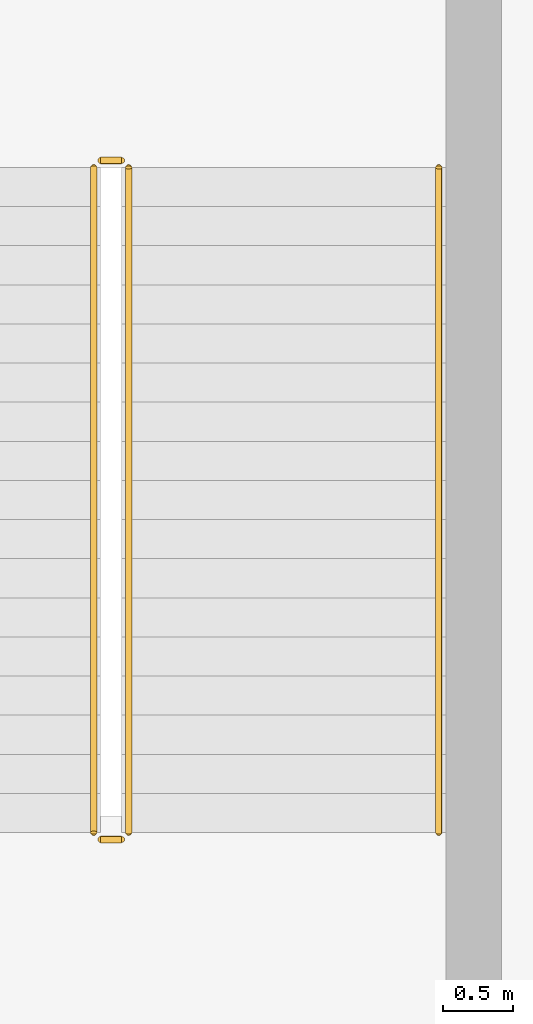
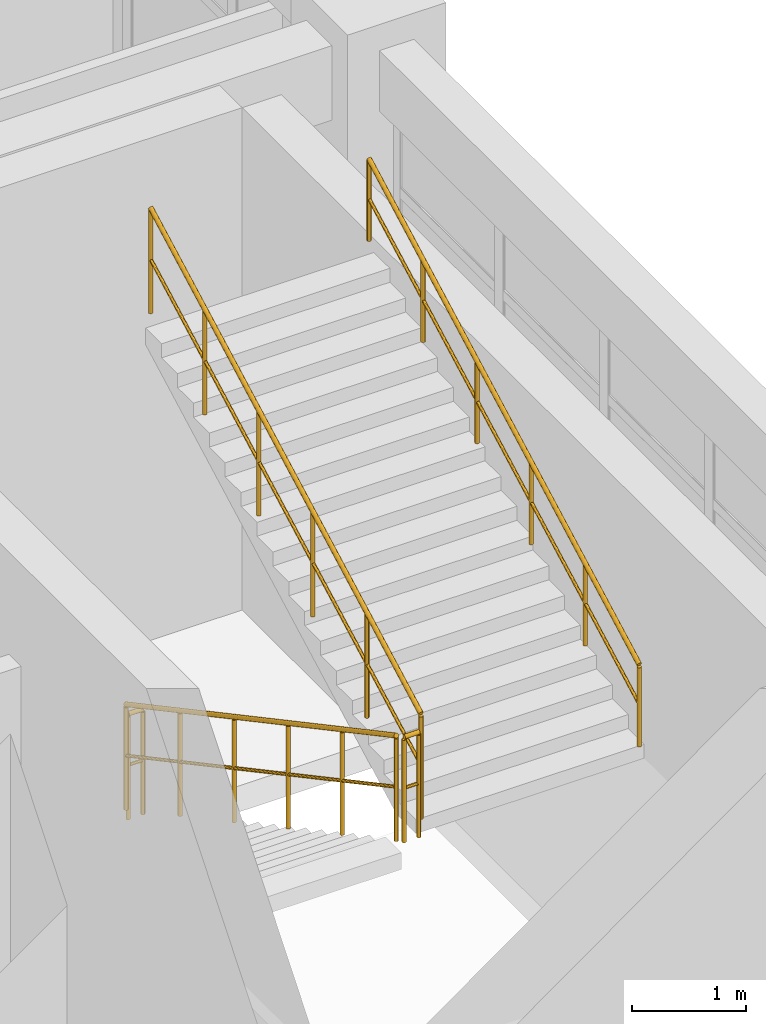
# One storey, part 105 of 114: 5 railings.
"""IFC4 building model written with IfcOpenShell, lengths in metres."""

from ifc_helpers import new_model, si_unit, derived_unit, direction, frame, origin, origin_2d, place, context, subcontext, project, spatial, circle, extrude, material, type_object, element, save


model = new_model("IFC4")

# Units and contexts
model_context = context("Model", 3, precision=1e-05, world=origin(), true_north=direction((0.0, 1.0)))
body_context = subcontext(model_context, "Body", "Model", "MODEL_VIEW")
ifc_project = project(units=[si_unit("LENGTHUNIT", "METRE"), si_unit("AREAUNIT", "SQUARE_METRE"), si_unit("VOLUMEUNIT", "CUBIC_METRE"), si_unit("PLANEANGLEUNIT", "RADIAN"), si_unit("MASSUNIT", "GRAM", prefix="KILO"), derived_unit("THERMALTRANSMITTANCEUNIT", [(si_unit("MASSUNIT", "GRAM", prefix="KILO"), 1), (si_unit("TIMEUNIT", "SECOND"), -3), (si_unit("THERMODYNAMICTEMPERATUREUNIT", "KELVIN"), -1)])], contexts=[model_context])

# Site, building, storey
site_placement = place(None, origin())
site = spatial("IfcSite", under=ifc_project, at=site_placement, CompositionType="ELEMENT")
building_placement = place(site_placement, origin())
building = spatial("IfcBuilding", under=site, at=building_placement, Name="Qinzheling Arcade Emporium", CompositionType="ELEMENT")
storey_placement = place(building_placement, frame((0.0, 0.0, 6.0)))
storey = spatial("IfcBuildingStorey", under=building, at=storey_placement, Name="L02", CompositionType="ELEMENT", Elevation=6.0)

# Railings
ifc_material_1 = material(Name="Galvanised powder-coated tubular steel", Category="steel")
railing_type_1 = type_object("IfcRailingType", Name="Painted Steel Stairwell Guard Railing 1150", PredefinedType="GUARDRAIL", material=ifc_material_1)
railing_1_placement = place(storey_placement, frame((65.219970703125, 30.280029296875, 0.14990234375)))
element("IfcRailing", 1, at=railing_1_placement, inside=storey, type_object=railing_type_1, Name="L02 ST01 stair guard 1", PredefinedType="GUARDRAIL", context=body_context, shape_type="SweptSolid", body=[
    extrude(circle(Radius=0.02392578125, at=origin_2d()), frame((0.0, 0.0, 1.1259765625), z_axis=(0.0, -0.881476609435, 0.47222768557), x_axis=(1.0, 0.0, 0.0)), (0.0, 0.0, 1.0), 5.400146484375),
    extrude(circle(Radius=0.01611328125, at=origin_2d()), frame((0.0, 0.0, 0.574951171875), z_axis=(0.0, -0.881476609435, 0.47222768557), x_axis=(1.0, 0.0, 0.0)), (0.0, 0.0, 1.0), 5.400146484375),
    extrude(circle(Radius=0.02099609375, at=origin_2d()), origin(), (0.0, 0.0, 1.0), 1.101806640625),
    extrude(circle(Radius=0.02099609375, at=origin_2d()), frame((0.0, -0.951904296875, 0.510009765625)), (0.0, 0.0, 1.0), 1.101806640625),
    extrude(circle(Radius=0.02099609375, at=origin_2d()), frame((0.0, -1.904052734375, 1.02001953125)), (0.0, 0.0, 1.0), 1.101806640625),
    extrude(circle(Radius=0.02099609375, at=origin_2d()), frame((0.0, -2.85595703125, 1.530029296875)), (0.0, 0.0, 1.0), 1.101806640625),
    extrude(circle(Radius=0.02099609375, at=origin_2d()), frame((0.0, -3.80810546875, 2.0400390625)), (0.0, 0.0, 1.0), 1.101806640625),
    extrude(circle(Radius=0.02099609375, at=origin_2d()), frame((0.0, -4.760009765625, 2.550048828125)), (0.0, 0.0, 1.0), 1.101806640625),
])
railing_2_placement = place(storey_placement, frame((65.27001953125, 25.469970703125, 2.699951171875)))
element("IfcRailing", 2, at=railing_2_placement, inside=storey, type_object=railing_type_1, Name="L02 ST01 stair guard 2", PredefinedType="GUARDRAIL", context=body_context, shape_type="SweptSolid", body=[
    extrude(circle(Radius=0.02392578125, at=origin_2d()), frame((0.0, 0.0, 1.1259765625), z_axis=(1.0, 0.0, 0.0), x_axis=(0.0, 1.0, 0.0)), (0.0, 0.0, 1.0), 0.14990234375),
    extrude(circle(Radius=0.01611328125, at=origin_2d()), frame((0.0, 0.0, 0.574951171875), z_axis=(1.0, 0.0, 0.0), x_axis=(0.0, 1.0, 0.0)), (0.0, 0.0, 1.0), 0.14990234375),
    extrude(circle(Radius=0.02099609375, at=origin_2d()), origin(), (0.0, 0.0, 1.0), 1.101806640625),
    extrude(circle(Radius=0.02099609375, at=origin_2d()), frame((0.14990234375, 0.0, 0.0)), (0.0, 0.0, 1.0), 1.101806640625),
])
railing_3_placement = place(storey_placement, frame((65.469970703125, 25.52001953125, 2.85009765625)))
element("IfcRailing", 3, at=railing_3_placement, inside=storey, type_object=railing_type_1, Name="L02 ST01 stair guard 3", PredefinedType="GUARDRAIL", context=body_context, shape_type="SweptSolid", body=[
    extrude(circle(Radius=0.02392578125, at=origin_2d()), frame((0.0, 0.0, 1.1259765625), z_axis=(0.0, 0.881495428514, 0.472192555542), x_axis=(-1.0, 0.0, 0.0)), (0.0, 0.0, 1.0), 5.39990234375),
    extrude(circle(Radius=0.01611328125, at=origin_2d()), frame((0.0, 0.0, 0.574951171875), z_axis=(0.0, 0.881495428514, 0.472192555542), x_axis=(-1.0, 0.0, 0.0)), (0.0, 0.0, 1.0), 5.39990234375),
    extrude(circle(Radius=0.02099609375, at=origin_2d()), origin(), (0.0, 0.0, 1.0), 1.101806640625),
    extrude(circle(Radius=0.02099609375, at=origin_2d()), frame((0.0, 0.951904296875, 0.510009765625)), (0.0, 0.0, 1.0), 1.101806640625),
    extrude(circle(Radius=0.02099609375, at=origin_2d()), frame((0.0, 1.904052734375, 1.02001953125)), (0.0, 0.0, 1.0), 1.101806640625),
    extrude(circle(Radius=0.02099609375, at=origin_2d()), frame((0.0, 2.85595703125, 1.52978515625)), (0.0, 0.0, 1.0), 1.101806640625),
    extrude(circle(Radius=0.02099609375, at=origin_2d()), frame((0.0, 3.80810546875, 2.039794921875)), (0.0, 0.0, 1.0), 1.101806640625),
    extrude(circle(Radius=0.02099609375, at=origin_2d()), frame((0.0, 4.760009765625, 2.5498046875)), (0.0, 0.0, 1.0), 1.101806640625),
])
railing_4_placement = place(storey_placement, frame((65.27001953125, 30.330078125, 0.0)))
element("IfcRailing", 4, at=railing_4_placement, inside=storey, type_object=railing_type_1, Name="L02 ST01 stair guard 4", PredefinedType="GUARDRAIL", context=body_context, shape_type="SweptSolid", body=[
    extrude(circle(Radius=0.02392578125, at=origin_2d()), frame((0.0, 0.0, 1.1259765625), z_axis=(1.0, 0.0, 0.0), x_axis=(0.0, 1.0, 0.0)), (0.0, 0.0, 1.0), 0.14990234375),
    extrude(circle(Radius=0.01611328125, at=origin_2d()), frame((0.0, 0.0, 0.574951171875), z_axis=(1.0, 0.0, 0.0), x_axis=(0.0, 1.0, 0.0)), (0.0, 0.0, 1.0), 0.14990234375),
    extrude(circle(Radius=0.02099609375, at=origin_2d()), origin(), (0.0, 0.0, 1.0), 1.101806640625),
    extrude(circle(Radius=0.02099609375, at=origin_2d()), frame((0.14990234375, 0.0, 0.0)), (0.0, 0.0, 1.0), 1.101806640625),
])
ifc_material_2 = material(Name="Brushed stainless steel 304", Category="steel")
railing_type_2 = type_object("IfcRailingType", Name="Stainless Steel Wall Handrail 900", PredefinedType="HANDRAIL", material=ifc_material_2)
railing_5_placement = place(storey_placement, frame((67.68994140625, 25.52001953125, 2.85009765625)))
element("IfcRailing", 5, at=railing_5_placement, inside=storey, type_object=railing_type_2, Name="L02 ST01 stair handrail 2", PredefinedType="HANDRAIL", context=body_context, shape_type="SweptSolid", body=[
    extrude(circle(Radius=0.02392578125, at=origin_2d()), frame((0.0, 0.0, 0.8759765625), z_axis=(0.0, 0.881495428514, 0.472192555542), x_axis=(-1.0, 0.0, 0.0)), (0.0, 0.0, 1.0), 5.39990234375),
    extrude(circle(Radius=0.01611328125, at=origin_2d()), frame((0.0, 0.0, 0.449951171875), z_axis=(0.0, 0.881495428514, 0.472192555542), x_axis=(-1.0, 0.0, 0.0)), (0.0, 0.0, 1.0), 5.39990234375),
    extrude(circle(Radius=0.02099609375, at=origin_2d()), origin(), (0.0, 0.0, 1.0), 0.851806640625),
    extrude(circle(Radius=0.02099609375, at=origin_2d()), frame((0.0, 0.951904296875, 0.510009765625)), (0.0, 0.0, 1.0), 0.851806640625),
    extrude(circle(Radius=0.02099609375, at=origin_2d()), frame((0.0, 1.904052734375, 1.02001953125)), (0.0, 0.0, 1.0), 0.851806640625),
    extrude(circle(Radius=0.02099609375, at=origin_2d()), frame((0.0, 2.85595703125, 1.52978515625)), (0.0, 0.0, 1.0), 0.851806640625),
    extrude(circle(Radius=0.02099609375, at=origin_2d()), frame((0.0, 3.80810546875, 2.039794921875)), (0.0, 0.0, 1.0), 0.851806640625),
    extrude(circle(Radius=0.02099609375, at=origin_2d()), frame((0.0, 4.760009765625, 2.5498046875)), (0.0, 0.0, 1.0), 0.851806640625),
])

save(model, "model.ifc")
